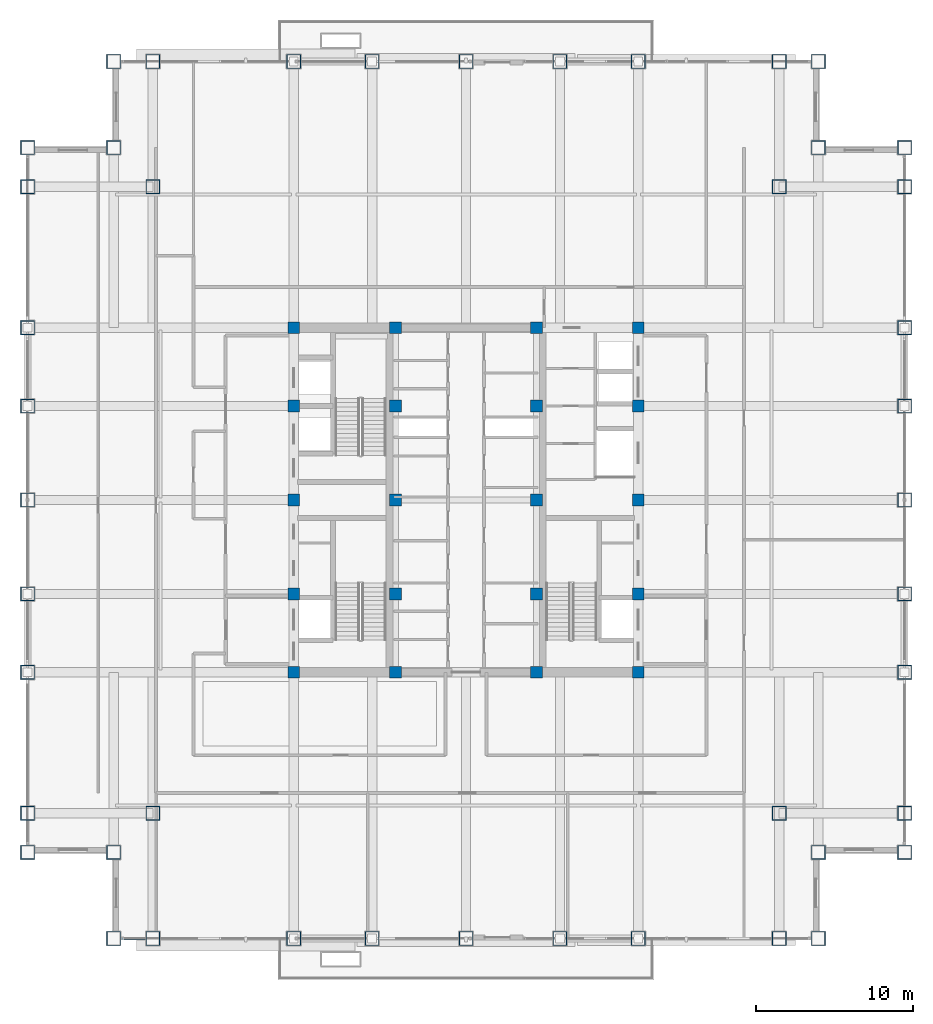
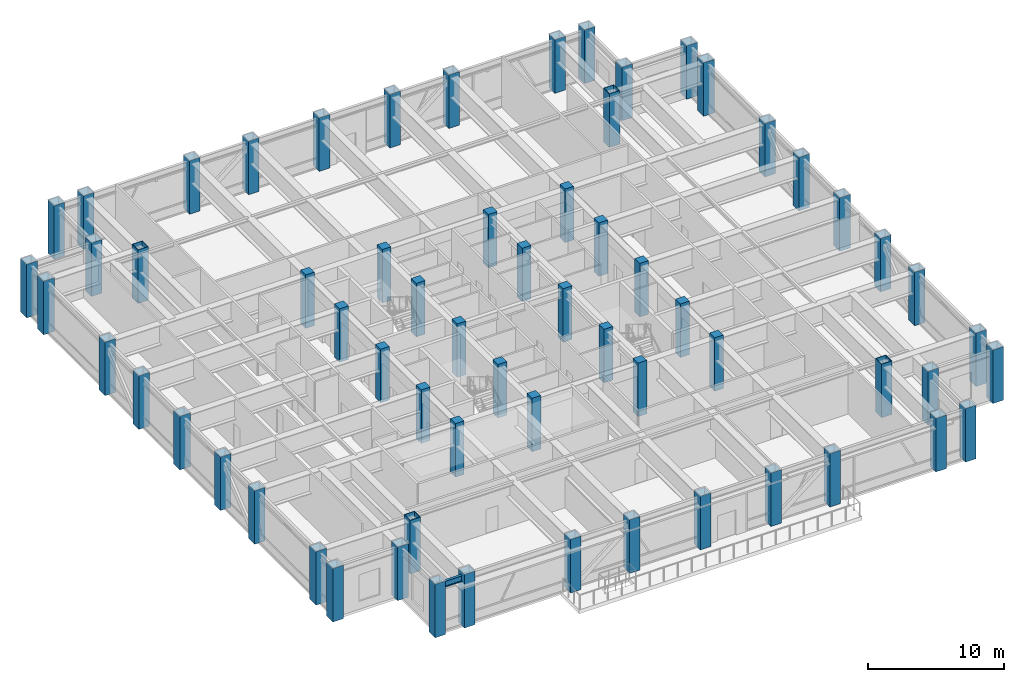
# One storey, part 1 of 31: 64 columns, 1 beam.
"""IFC4 building model written with IfcOpenShell, lengths in metres."""

from ifc_helpers import new_model, si_unit, direction, frame, origin, origin_2d, place, context, subcontext, project, spatial, rectangle, hollow_rectangle, i_section, extrude, source, transform, mapped, material, material_profile, profile_set, type_object, element, save


model = new_model("IFC4")

# Units and contexts
model_context = context("Model", 3, precision=1e-05, world=origin(), true_north=direction((0.0, 1.0)))
body_context = subcontext(model_context, "Body", "Model", "MODEL_VIEW")
ifc_project = project(units=[si_unit("LENGTHUNIT", "METRE"), si_unit("AREAUNIT", "SQUARE_METRE"), si_unit("VOLUMEUNIT", "CUBIC_METRE"), si_unit("PLANEANGLEUNIT", "RADIAN"), si_unit("MASSUNIT", "GRAM", prefix="KILO")], contexts=[model_context])

# Site, building, storey
site_placement = place(None, origin())
site = spatial("IfcSite", under=ifc_project, at=site_placement, CompositionType="ELEMENT")
building_placement = place(site_placement, origin())
building = spatial("IfcBuilding", under=site, at=building_placement, Name="Khorayat Bourse Tower", CompositionType="ELEMENT")
storey_placement = place(building_placement, frame((0.0, 0.0, 321.5)))
storey = spatial("IfcBuildingStorey", under=building, at=storey_placement, Name="L76", CompositionType="ELEMENT", Elevation=321.5)

# Columns
ifc_material_1 = material(Name="Steel EN 10025-4 S460M", Category="steel")
ifc_material_profile_1 = material_profile(ifc_material_1, hollow_rectangle(XDim=0.89990234375, YDim=0.89990234375, WallThickness=0.050048828125, at=origin_2d()), Name="BOX 900x900x50")
ifc_profile_set_1 = profile_set([ifc_material_profile_1], Name="Steel EN 10025-4 S460M")
column_type_1 = type_object("IfcColumnType", Name="COL-TUBE-900", PredefinedType="COLUMN", material=ifc_profile_set_1)
shared_shape_1 = source(origin(), body_context, "Body", "SweptSolid", [
    extrude(hollow_rectangle(XDim=0.89990234375, YDim=0.89990234375, WallThickness=0.050048828125, at=origin_2d()), origin(), (0.0, 0.0, 1.0), 4.800048828125),
])
for number, where, z_axis, x_axis, name in (
    (1, (-28.0, -22.5, 0.0), (0.0, 0.0, 1.0), (1.0, 0.0, 0.0), "L76 Column 001"),
    (2, (-28.0, -20.0, 0.0), (0.0, 0.0, 1.0), (1.0, 0.0, 0.0), "L76 Column 002"),
    (3, (-28.0, -11.0, 0.0), (0.0, 0.0, 1.0), (1.0, 0.0, 0.0), "L76 Column 003"),
    (4, (-28.0, -6.0, 0.0), (0.0, 0.0, 1.0), (1.0, 0.0, 0.0), "L76 Column 004"),
    (5, (-28.0, 0.0, 0.0), (0.0, 0.0, 1.0), (1.0, 0.0, 0.0), "L76 Column 005"),
    (6, (-28.0, 6.0, 0.0), (0.0, 0.0, 1.0), (1.0, 0.0, 0.0), "L76 Column 006"),
    (7, (-28.0, 11.0, 0.0), (0.0, 0.0, 1.0), (1.0, 0.0, 0.0), "L76 Column 007"),
    (8, (-28.0, 20.0, 0.0), (0.0, 0.0, 1.0), (1.0, 0.0, 0.0), "L76 Column 008"),
    (9, (-28.0, 22.5, 0.0), (0.0, 0.0, 1.0), (1.0, 0.0, 0.0), "L76 Column 009"),
    (10, (-22.5, -28.0, 0.0), (0.0, 0.0, 1.0), (1.0, 0.0, 0.0), "L76 Column 010"),
    (11, (-22.5, -22.5, 0.0), (0.0, 0.0, 1.0), (1.0, 0.0, 0.0), "L76 Column 011"),
    (12, (-22.5, 22.5, 0.0), (0.0, 0.0, 1.0), (1.0, 0.0, 0.0), "L76 Column 012"),
    (13, (-22.5, 28.0, 0.0), (0.0, 0.0, 1.0), (1.0, 0.0, 0.0), "L76 Column 013"),
    (14, (-20.0, -28.0, 0.0), (0.0, 0.0, 1.0), (1.0, 0.0, 0.0), "L76 Column 014"),
    (15, (-20.0, -20.0, 0.0), (0.0, 0.0, 1.0), (1.0, 0.0, 0.0), "L76 Column 015"),
    (16, (-20.0, 20.0, 0.0), (0.0, 0.0, 1.0), (1.0, 0.0, 0.0), "L76 Column 016"),
    (17, (-20.0, 28.0, 0.0), (0.0, 0.0, 1.0), (1.0, 0.0, 0.0), "L76 Column 017"),
    (18, (-11.0, -28.0, 0.0), (0.0, 0.0, 1.0), (1.0, 0.0, 0.0), "L76 Column 018"),
    (19, (-11.0, 28.0, 0.0), (0.0, 0.0, 1.0), (1.0, 0.0, 0.0), "L76 Column 024"),
    (20, (-6.0, -28.0, 0.0), (0.0, 0.0, 1.0), (1.0, 0.0, 0.0), "L76 Column 025"),
    (21, (-6.0, 28.0, 0.0), (0.0, 0.0, 1.0), (1.0, 0.0, 0.0), "L76 Column 026"),
    (22, (0.0, -28.0, 0.0), (0.0, 0.0, 1.0), (1.0, 0.0, 0.0), "L76 Column 032"),
    (23, (0.0, 28.0, 0.0), (0.0, 0.0, 1.0), (1.0, 0.0, 0.0), "L76 Column 033"),
    (24, (6.0, -28.0, 0.0), (0.0, 0.0, 1.0), (1.0, 0.0, 0.0), "L76 Column 039"),
    (25, (6.0, 28.0, 0.0), (0.0, 0.0, 1.0), (1.0, 0.0, 0.0), "L76 Column 040"),
    (26, (11.0, -28.0, 0.0), (0.0, 0.0, 1.0), (1.0, 0.0, 0.0), "L76 Column 041"),
    (27, (11.0, 28.0, 0.0), (0.0, 0.0, 1.0), (1.0, 0.0, 0.0), "L76 Column 047"),
    (28, (20.0, -28.0, 0.0), (0.0, 0.0, 1.0), (1.0, 0.0, 0.0), "L76 Column 048"),
    (29, (20.0, -20.0, 0.0), (0.0, 0.0, 1.0), (1.0, 0.0, 0.0), "L76 Column 049"),
    (30, (20.0, 20.0, 0.0), (0.0, 0.0, 1.0), (1.0, 0.0, 0.0), "L76 Column 050"),
    (31, (20.0, 28.0, 0.0), (0.0, 0.0, 1.0), (1.0, 0.0, 0.0), "L76 Column 051"),
    (32, (22.5, -28.0, 0.0), (0.0, 0.0, 1.0), (1.0, 0.0, 0.0), "L76 Column 052"),
    (33, (22.5, -22.5, 0.0), (0.0, 0.0, 1.0), (1.0, 0.0, 0.0), "L76 Column 053"),
    (34, (22.5, 22.5, 0.0), (0.0, 0.0, 1.0), (1.0, 0.0, 0.0), "L76 Column 054"),
    (35, (22.5, 28.0, 0.0), (0.0, 0.0, 1.0), (1.0, 0.0, 0.0), "L76 Column 055"),
    (36, (28.0, -22.5, 0.0), (0.0, 0.0, 1.0), (1.0, 0.0, 0.0), "L76 Column 056"),
    (37, (28.0, -20.0, 0.0), (0.0, 0.0, 1.0), (1.0, 0.0, 0.0), "L76 Column 057"),
    (38, (28.0, -11.0, 0.0), (0.0, 0.0, 1.0), (1.0, 0.0, 0.0), "L76 Column 058"),
    (39, (28.0, -6.0, 0.0), (0.0, 0.0, 1.0), (1.0, 0.0, 0.0), "L76 Column 059"),
    (40, (28.0, 0.0, 0.0), (0.0, 0.0, 1.0), (1.0, 0.0, 0.0), "L76 Column 060"),
    (41, (28.0, 6.0, 0.0), (0.0, 0.0, 1.0), (1.0, 0.0, 0.0), "L76 Column 061"),
    (42, (28.0, 11.0, 0.0), (0.0, 0.0, 1.0), (1.0, 0.0, 0.0), "L76 Column 062"),
    (43, (28.0, 20.0, 0.0), (0.0, 0.0, 1.0), (1.0, 0.0, 0.0), "L76 Column 063"),
    (44, (28.0, 22.5, 0.0), (0.0, 0.0, 1.0), (1.0, 0.0, 0.0), "L76 Column 064"),
):
    element("IfcColumn", number, at=place(storey_placement, frame(where, z_axis=z_axis, x_axis=x_axis)), inside=storey, type_object=column_type_1, Name=name, PredefinedType="COLUMN", context=body_context, shape_type="MappedRepresentation", body=[
        mapped(shared_shape_1, transform((0.0, 0.0, 0.0), scale=1.0)),
    ])
ifc_material_2 = material(Name="Concrete C52/65", Category="concrete")
ifc_material_profile_2 = material_profile(ifc_material_2, rectangle(XDim=0.75, YDim=0.75, at=origin_2d()), Name="RC 750x750")
ifc_profile_set_2 = profile_set([ifc_material_profile_2], Name="Concrete C52/65")
column_type_2 = type_object("IfcColumnType", Name="COL-CORE-750", PredefinedType="COLUMN", material=ifc_profile_set_2)
shared_shape_2 = source(origin(), body_context, "Body", "SweptSolid", [
    extrude(rectangle(XDim=0.75, YDim=0.75, at=origin_2d()), origin(), (0.0, 0.0, 1.0), 4.800048828125),
])
for number, where, z_axis, x_axis, name in (
    (45, (-11.0, -11.0, 0.0), (0.0, 0.0, 1.0), (1.0, 0.0, 0.0), "L76 Column 019"),
    (46, (-11.0, -6.0, 0.0), (0.0, 0.0, 1.0), (1.0, 0.0, 0.0), "L76 Column 020"),
    (47, (-11.0, 0.0, 0.0), (0.0, 0.0, 1.0), (1.0, 0.0, 0.0), "L76 Column 021"),
    (48, (-11.0, 6.0, 0.0), (0.0, 0.0, 1.0), (1.0, 0.0, 0.0), "L76 Column 022"),
    (49, (-11.0, 11.0, 0.0), (0.0, 0.0, 1.0), (1.0, 0.0, 0.0), "L76 Column 023"),
    (50, (-4.5, -11.0, 0.0), (0.0, 0.0, 1.0), (1.0, 0.0, 0.0), "L76 Column 027"),
    (51, (-4.5, -6.0, 0.0), (0.0, 0.0, 1.0), (1.0, 0.0, 0.0), "L76 Column 028"),
    (52, (-4.5, 0.0, 0.0), (0.0, 0.0, 1.0), (1.0, 0.0, 0.0), "L76 Column 029"),
    (53, (-4.5, 6.0, 0.0), (0.0, 0.0, 1.0), (1.0, 0.0, 0.0), "L76 Column 030"),
    (54, (-4.5, 11.0, 0.0), (0.0, 0.0, 1.0), (1.0, 0.0, 0.0), "L76 Column 031"),
    (55, (4.5, -11.0, 0.0), (0.0, 0.0, 1.0), (1.0, 0.0, 0.0), "L76 Column 034"),
    (56, (4.5, -6.0, 0.0), (0.0, 0.0, 1.0), (1.0, 0.0, 0.0), "L76 Column 035"),
    (57, (4.5, 0.0, 0.0), (0.0, 0.0, 1.0), (1.0, 0.0, 0.0), "L76 Column 036"),
    (58, (4.5, 6.0, 0.0), (0.0, 0.0, 1.0), (1.0, 0.0, 0.0), "L76 Column 037"),
    (59, (4.5, 11.0, 0.0), (0.0, 0.0, 1.0), (1.0, 0.0, 0.0), "L76 Column 038"),
    (60, (11.0, -11.0, 0.0), (0.0, 0.0, 1.0), (1.0, 0.0, 0.0), "L76 Column 042"),
    (61, (11.0, -6.0, 0.0), (0.0, 0.0, 1.0), (1.0, 0.0, 0.0), "L76 Column 043"),
    (62, (11.0, 0.0, 0.0), (0.0, 0.0, 1.0), (1.0, 0.0, 0.0), "L76 Column 044"),
    (63, (11.0, 6.0, 0.0), (0.0, 0.0, 1.0), (1.0, 0.0, 0.0), "L76 Column 045"),
    (64, (11.0, 11.0, 0.0), (0.0, 0.0, 1.0), (1.0, 0.0, 0.0), "L76 Column 046"),
):
    element("IfcColumn", number, at=place(storey_placement, frame(where, z_axis=z_axis, x_axis=x_axis)), inside=storey, type_object=column_type_2, Name=name, PredefinedType="COLUMN", context=body_context, shape_type="MappedRepresentation", body=[
        mapped(shared_shape_2, transform((0.0, 0.0, 0.0), scale=1.0)),
    ])

# Beam
ifc_material_3 = material(Name="Steel ASTM A992 Grade 50", Category="steel")
ifc_material_profile_3 = material_profile(ifc_material_3, i_section(OverallWidth=0.214111328125, OverallDepth=0.549072265625, WebThickness=0.0146484375, FlangeThickness=0.023681640625, FilletRadius=0.013916015625, at=origin_2d()), Name="W530X138")
ifc_profile_set_3 = profile_set([ifc_material_profile_3], Name="Steel ASTM A992 Grade 50")
beam_type = type_object("IfcBeamType", Name="BM-SPAN-530", PredefinedType="SPANDREL", material=ifc_profile_set_3)
shared_shape_3 = source(origin(), body_context, "Body", "SweptSolid", [
    extrude(i_section(OverallWidth=0.214111328125, OverallDepth=0.549072265625, WebThickness=0.0146484375, FlangeThickness=0.023681640625, FilletRadius=0.013916015625, at=origin_2d()), origin(), (0.0, 0.0, 1.0), 2.5),
])
beam_placement = place(storey_placement, frame((-22.5, -28.0, 4.2255859375), z_axis=(1.0, 0.0, 0.0), x_axis=(0.0, 1.0, 0.0)))
element("IfcBeam", 65, at=beam_placement, inside=storey, type_object=beam_type, Name="L76 BM-SPAN-530 BM-L76-SPN-024", PredefinedType="SPANDREL", context=body_context, shape_type="MappedRepresentation", body=[
    mapped(shared_shape_3, transform((0.0, 0.0, 0.0), scale=1.0)),
])

save(model, "model.ifc")
